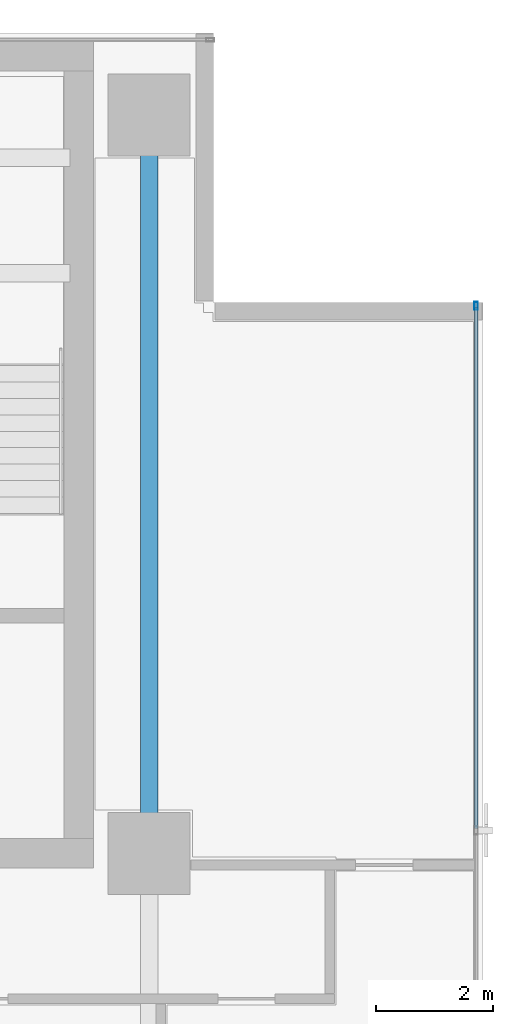
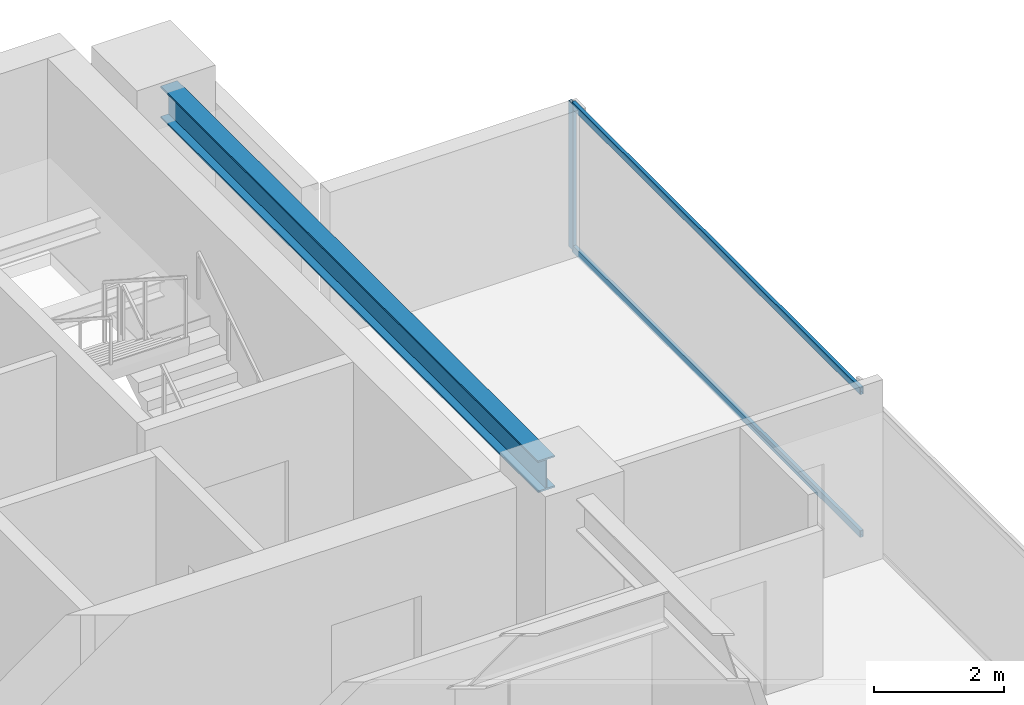
# One storey, part 14 of 26: 3 members, 1 beam, 1 element without a shape of its own.
"""IFC4 building model written with IfcOpenShell, lengths in metres."""

import ifcopenshell
import ifcopenshell.guid

model = None  # the IFC model being written
_history = None  # IfcOwnerHistory: only IFC2X3 demands one
_inside = {}  # id of a spatial element -> (the spatial element, [elements in it])
_under = {}  # id of a project, library or spatial element -> (it, [spatial elements below it])
_declared = {}  # id of a project -> (the project, [libraries it declares])
_typed = {}  # id of a type object -> (the type object, [elements of that type])
_made_of = {}  # id of a material, layer set ... -> (it, [elements and type objects made of it])


def new_model(schema):
    """Start an empty IFC model of exactly this schema.

    Asked for "IFC4X3", IfcOpenShell would pick the latest addendum, in which some entities
    have other attributes; the version numbers below select the first issue.
    IFC2X3 requires an IfcOwnerHistory on every rooted entity: one is made here for all.
    """
    global model, _history
    if schema == "IFC4X3":
        model = ifcopenshell.file(schema_version=(4, 3, 0, 0))
    else:
        model = ifcopenshell.file(schema=schema)
    _inside.clear()
    _under.clear()
    _declared.clear()
    _typed.clear()
    _made_of.clear()
    _history = None
    if model.schema == "IFC2X3":
        org = make("IfcOrganization", Name="unknown")
        user = make(
            "IfcPersonAndOrganization",
            ThePerson=make("IfcPerson", FamilyName="unknown"),
            TheOrganization=org,
        )
        app = make(
            "IfcApplication",
            ApplicationDeveloper=org,
            Version="unknown",
            ApplicationFullName="unknown",
            ApplicationIdentifier="unknown",
        )
        _history = make(
            "IfcOwnerHistory",
            OwningUser=user,
            OwningApplication=app,
            ChangeAction="ADDED",
            CreationDate=0,
        )
    return model


def make(cls, **values):
    """One entity of the class cls with the attributes given. An attribute that is None is left unset."""
    return model.create_entity(
        cls, **{name: value for name, value in values.items() if value is not None}
    )


def rooted(cls, **values):
    """An entity with a GlobalId (a new one), such as an element, a storey or a relation."""
    return make(cls, GlobalId=ifcopenshell.guid.new(), OwnerHistory=_history, **values)


def si_unit(unit_type, name, prefix=None):
    """IfcSIUnit, for example si_unit("LENGTHUNIT", "METRE", prefix="MILLI")."""
    return make("IfcSIUnit", UnitType=unit_type, Prefix=prefix, Name=name)


def assignment(units):
    """IfcUnitAssignment: the units of a project."""
    return None if units is None else make("IfcUnitAssignment", Units=units)


def point(xyz):
    """IfcCartesianPoint."""
    return None if xyz is None else make("IfcCartesianPoint", Coordinates=xyz)


def direction(xyz):
    """IfcDirection."""
    return None if xyz is None else make("IfcDirection", DirectionRatios=xyz)


def frame(location, z_axis=None, x_axis=None):
    """IfcAxis2Placement3D, a coordinate frame: its origin and axes. An axis left out is left unset."""
    return make(
        "IfcAxis2Placement3D",
        Location=point(location),
        Axis=direction(z_axis),
        RefDirection=direction(x_axis),
    )


def frame_2d(location, x_axis=None):
    """IfcAxis2Placement2D, a coordinate frame in the plane: its origin and x axis."""
    return make(
        "IfcAxis2Placement2D", Location=point(location), RefDirection=direction(x_axis)
    )


def origin():
    """The frame at (0, 0, 0) with its axes left unset."""
    return frame((0.0, 0.0, 0.0))


def origin_2d():
    """The frame at (0, 0) in the plane with its x axis left unset."""
    return frame_2d((0.0, 0.0))


def place(relative_to, where):
    """IfcLocalPlacement: puts the frame where relative to a parent placement (None: the world)."""
    return make(
        "IfcLocalPlacement", PlacementRelTo=relative_to, RelativePlacement=where
    )


def context(
    kind, dimensions, precision=None, world=None, true_north=None, identifier=None
):
    """IfcGeometricRepresentationContext, for example the 3D "Model" context."""
    return make(
        "IfcGeometricRepresentationContext",
        ContextIdentifier=identifier,
        ContextType=kind,
        CoordinateSpaceDimension=dimensions,
        Precision=precision,
        WorldCoordinateSystem=world,
        TrueNorth=true_north,
    )


def subcontext(parent, identifier, kind, view, scale=None):
    """IfcGeometricRepresentationSubContext, for example "Body" below "Model"."""
    return make(
        "IfcGeometricRepresentationSubContext",
        ContextIdentifier=identifier,
        ContextType=kind,
        ParentContext=parent,
        TargetScale=scale,
        TargetView=view,
    )


def project(units=None, contexts=None):
    """IfcProject with its units and contexts."""
    return rooted(
        "IfcProject",
        Name="project",
        RepresentationContexts=contexts,
        UnitsInContext=assignment(units),
    )


def spatial(cls, under=None, at=None, **own):
    """A site, building, storey or space (cls), placed at a placement, below another one or the project."""
    s = rooted(cls, ObjectPlacement=at, **own)
    if under is not None:
        _under.setdefault(under.id(), (under, []))[1].append(s)
    return s


def profile(cls, at=None, kind="AREA", **sizes):
    """A parametric profile (cls). Its sizes go by their IFC names, for example OverallWidth=200.0."""
    return make(cls, ProfileType=kind, Position=at, **sizes)


def hollow_rectangle(**sizes):
    """IfcRectangleHollowProfileDef."""
    return profile("IfcRectangleHollowProfileDef", **sizes)


def i_section(**sizes):
    """IfcIShapeProfileDef."""
    return profile("IfcIShapeProfileDef", **sizes)


def extrude(swept, where, along, depth):
    """IfcExtrudedAreaSolid: the profile swept, set in the frame where, extruded along a direction by depth."""
    return make(
        "IfcExtrudedAreaSolid",
        SweptArea=swept,
        Position=where,
        ExtrudedDirection=direction(along),
        Depth=depth,
    )


def shape(context_of_items, identifier, shape_type, items):
    """IfcShapeRepresentation: the items that make up one representation, for example the "Body"."""
    return make(
        "IfcShapeRepresentation",
        ContextOfItems=context_of_items,
        RepresentationIdentifier=identifier,
        RepresentationType=shape_type,
        Items=items,
    )


def source(mapping_origin, context_of_items, identifier, shape_type, items):
    """IfcRepresentationMap: a shape defined once, which mapped items show again and again."""
    return make(
        "IfcRepresentationMap",
        MappingOrigin=mapping_origin,
        MappedRepresentation=shape(context_of_items, identifier, shape_type, items),
    )


def transform(
    local_origin,
    x_axis=None,
    y_axis=None,
    z_axis=None,
    scale=None,
    scale2=None,
    scale3=None,
    uniform=True,
):
    """IfcCartesianTransformationOperator3D, or its non-uniform kind. x_axis, y_axis, z_axis: its Axis1, 2, 3."""
    if uniform:
        return make(
            "IfcCartesianTransformationOperator3D",
            Axis1=direction(x_axis),
            Axis2=direction(y_axis),
            LocalOrigin=point(local_origin),
            Scale=scale,
            Axis3=direction(z_axis),
        )
    return make(
        "IfcCartesianTransformationOperator3DnonUniform",
        Axis1=direction(x_axis),
        Axis2=direction(y_axis),
        LocalOrigin=point(local_origin),
        Scale=scale,
        Axis3=direction(z_axis),
        Scale2=scale2,
        Scale3=scale3,
    )


def mapped(mapping_source, mapping_target):
    """IfcMappedItem: shows the shape of a source again, moved by a transform."""
    return make(
        "IfcMappedItem", MappingSource=mapping_source, MappingTarget=mapping_target
    )


def material(Name=None, Category=None):
    """IfcMaterial."""
    return make("IfcMaterial", Name=Name, Category=Category)


def layer(
    of_material, thickness, ventilated=None, Name=None, Category=None, Priority=None
):
    """IfcMaterialLayer: one layer of a wall or slab, of a material (None: an air gap)."""
    return make(
        "IfcMaterialLayer",
        Material=of_material,
        LayerThickness=thickness,
        IsVentilated=ventilated,
        Name=Name,
        Category=Category,
        Priority=Priority,
    )


def layer_set(layers, Name=None):
    """IfcMaterialLayerSet."""
    return make("IfcMaterialLayerSet", MaterialLayers=layers, LayerSetName=Name)


def material_profile(
    of_material, cross_section, Name=None, Category=None, Priority=None
):
    """IfcMaterialProfile: a cross section and its material."""
    return make(
        "IfcMaterialProfile",
        Name=Name,
        Material=of_material,
        Profile=cross_section,
        Priority=Priority,
        Category=Category,
    )


def profile_set(profiles, Name=None, composite=None):
    """IfcMaterialProfileSet."""
    return make(
        "IfcMaterialProfileSet",
        Name=Name,
        MaterialProfiles=profiles,
        CompositeProfile=composite,
    )


def made_of(thing, what):
    """Note that an element or type object is made of a material, layer set ...; save() writes the relation."""
    if what is not None:
        _made_of.setdefault(what.id(), (what, []))[1].append(thing)
    return thing


def type_object(cls, material=None, **own):
    """A type object (cls), such as IfcWallType, which elements share."""
    return made_of(rooted(cls, **own), material)


def element(
    cls,
    number,
    at=None,
    inside=None,
    cuts=None,
    type_object=None,
    material=None,
    context=None,
    identifier="Body",
    shape_type=None,
    held_by="IfcProductDefinitionShape",
    body=None,
    shapes=None,
    **own,
):
    """One element of the class cls, such as IfcWall. Its Tag is "e" and its number.

    at: its placement. inside: the storey or other place that contains it. cuts: it is an
    opening in that element (IfcRelVoidsElement). A single representation is given by context,
    identifier, shape_type and body (its items); several are given by shapes. held_by: the class
    of the entity that holds the representations. save() writes the other relations.
    """
    e = rooted(cls, Tag="e%d" % number, ObjectPlacement=at, **own)
    if body is not None:
        shapes = [shape(context, identifier, shape_type, body)]
    if shapes is not None:
        e.Representation = make(held_by, Representations=shapes)
    if inside is not None:
        _inside.setdefault(inside.id(), (inside, []))[1].append(e)
    if cuts is not None:
        rooted(
            "IfcRelVoidsElement", RelatingBuildingElement=cuts, RelatedOpeningElement=e
        )
    if type_object is not None:
        _typed.setdefault(type_object.id(), (type_object, []))[1].append(e)
    return made_of(e, material)


def aggregate(whole, parts):
    """IfcRelAggregates: a whole, such as a stair, and the parts it consists of."""
    return rooted("IfcRelAggregates", RelatingObject=whole, RelatedObjects=parts)


def save(model, path):
    """Write the relations noted so far, then the file.

    IfcRelAggregates (storeys below a building ...), IfcRelContainedInSpatialStructure (elements
    in a storey), IfcRelDefinesByType, IfcRelAssociatesMaterial and IfcRelDeclares: one each for
    every whole, place, type object, material and project.
    """
    for whole, parts in _under.values():
        aggregate(whole, parts)
    for where, things in _inside.values():
        rooted(
            "IfcRelContainedInSpatialStructure",
            RelatedElements=things,
            RelatingStructure=where,
        )
    for kind, things in _typed.values():
        rooted("IfcRelDefinesByType", RelatedObjects=things, RelatingType=kind)
    for what, things in _made_of.values():
        rooted("IfcRelAssociatesMaterial", RelatedObjects=things, RelatingMaterial=what)
    for by, libraries in _declared.values():
        rooted("IfcRelDeclares", RelatingContext=by, RelatedDefinitions=libraries)
    model.write(path)


model = new_model("IFC4")

# Units and contexts
model_context = context("Model", 3, precision=1e-05, world=origin(), true_north=direction((0.0, 1.0)))
body_context = subcontext(model_context, "Body", "Model", "MODEL_VIEW")
ifc_project = project(units=[si_unit("LENGTHUNIT", "METRE"), si_unit("AREAUNIT", "SQUARE_METRE"), si_unit("VOLUMEUNIT", "CUBIC_METRE"), si_unit("PLANEANGLEUNIT", "RADIAN"), si_unit("MASSUNIT", "GRAM", prefix="KILO")], contexts=[model_context])

# Site, building, storey
site_placement = place(None, origin())
site = spatial("IfcSite", under=ifc_project, at=site_placement, CompositionType="ELEMENT")
building_placement = place(site_placement, origin())
building = spatial("IfcBuilding", under=site, at=building_placement, Name="Sumidabori Civic Tower", CompositionType="ELEMENT")
storey_placement = place(building_placement, frame((0.0, 0.0, 254.0)))
storey = spatial("IfcBuildingStorey", under=building, at=storey_placement, Name="L66", CompositionType="ELEMENT", Elevation=254.0)

# Beam
ifc_material_1 = material(Name="Steel SN490", Category="steel")
ifc_material_profile_1 = material_profile(ifc_material_1, i_section(OverallWidth=0.300048828125, OverallDepth=0.60009765625, WebThickness=0.015380859375, FlangeThickness=0.030029296875, at=origin_2d()), Name="HE 600 B")
ifc_profile_set_1 = profile_set([ifc_material_profile_1], Name="Steel SN490")
beam_type = type_object("IfcBeamType", Name="BM-GIRD-600", PredefinedType="BEAM", material=ifc_profile_set_1)
shared_shape_1 = source(origin(), body_context, "Body", "SweptSolid", [
    extrude(i_section(OverallWidth=0.300048828125, OverallDepth=0.60009765625, WebThickness=0.015380859375, FlangeThickness=0.030029296875, at=origin_2d()), origin(), (0.0, 0.0, 1.0), 11.64013671875),
])
beam_placement = place(storey_placement, frame((16.800048828125, 10.679931640625, 3.070068359375), z_axis=(0.0, 1.0, 0.0), x_axis=(-1.0, 0.0, 0.0)))
element("IfcBeam", 1, at=beam_placement, inside=storey, type_object=beam_type, Name="Primary Girder L66 GY-17", PredefinedType="BEAM", context=body_context, shape_type="MappedRepresentation", body=[
    mapped(shared_shape_1, transform((0.0, 0.0, 0.0), x_axis=(1.0, 0.0, 0.0), y_axis=(0.0, 1.0, 0.0), z_axis=(0.0, 0.0, 1.0), scale=1.0)),
])

# Curtain wall, members
ifc_material_2 = material(Name="Anodised Bronze Aluminium AW-6063-T6", Category="aluminium")
ifc_layer = layer(ifc_material_2, 0.179931640625, Name="Anodised Bronze Aluminium AW-6063-T6")
ifc_layer_set = layer_set([ifc_layer], Name="Anodised Bronze Aluminium AW-6063-T6")
curtain_wall_type = type_object("IfcCurtainWallType", Name="CW-SYS-5", PredefinedType="NOTDEFINED", material=ifc_layer_set)
curtain_wall_placement = place(storey_placement, origin())
curtain_wall = element("IfcCurtainWall", 2, at=curtain_wall_placement, inside=storey, type_object=curtain_wall_type, Name="Curtain Wall CW:L66:R04", PredefinedType="NOTDEFINED")
ifc_material_profile_2 = material_profile(ifc_material_2, hollow_rectangle(XDim=0.06005859375, YDim=0.139892578125, WallThickness=0.0048828125, at=origin_2d()), Name="ALU MULLION 140x60")
ifc_profile_set_2 = profile_set([ifc_material_profile_2], Name="Anodised Bronze Aluminium AW-6063-T6")
member_type_1 = type_object("IfcMemberType", Name="CW-MUL-140", PredefinedType="MULLION", material=ifc_profile_set_2)
shared_shape_2 = source(origin(), body_context, "Body", "SweptSolid", [
    extrude(hollow_rectangle(XDim=0.06005859375, YDim=0.139892578125, WallThickness=0.0048828125, at=origin_2d()), origin(), (0.0, 0.0, 1.0), 2.75),
])
member_1_placement = place(storey_placement, frame((22.3798828125, 19.5400390625, 0.0), z_axis=(0.0, 0.0, 1.0), x_axis=(-1.0, 0.0, 0.0)))
member_1 = element("IfcMember", 3, at=member_1_placement, type_object=member_type_1, Name="CW-5 mullion 4", PredefinedType="MULLION", context=body_context, shape_type="MappedRepresentation", body=[
    mapped(shared_shape_2, transform((0.0, 0.0, 0.0), x_axis=(1.0, 0.0, 0.0), y_axis=(0.0, 1.0, 0.0), z_axis=(0.0, 0.0, 1.0), scale=1.0)),
])
ifc_material_profile_3 = material_profile(ifc_material_2, hollow_rectangle(XDim=0.06005859375, YDim=0.1298828125, WallThickness=0.0048828125, at=origin_2d()), Name="ALU TRANSOM 130x60")
ifc_profile_set_3 = profile_set([ifc_material_profile_3], Name="Anodised Bronze Aluminium AW-6063-T6")
member_type_2 = type_object("IfcMemberType", Name="CW-TRN-130", PredefinedType="USERDEFINED", material=ifc_profile_set_3)
shared_shape_3 = source(origin(), body_context, "Body", "SweptSolid", [
    extrude(hollow_rectangle(XDim=0.06005859375, YDim=0.1298828125, WallThickness=0.0048828125, at=origin_2d()), origin(), (0.0, 0.0, 1.0), 8.889892578125),
])
member_2_placement = place(storey_placement, frame((22.3798828125, 10.6201171875, 0.030029296875), z_axis=(0.0, 1.0, 0.0), x_axis=(-1.0, 0.0, 0.0)))
member_2 = element("IfcMember", 4, at=member_2_placement, type_object=member_type_2, Name="CW-5 transom 3.1", ObjectType="TRANSOM", PredefinedType="USERDEFINED", context=body_context, shape_type="MappedRepresentation", body=[
    mapped(shared_shape_3, transform((0.0, 0.0, 0.0), x_axis=(1.0, 0.0, 0.0), y_axis=(0.0, 1.0, 0.0), z_axis=(0.0, 0.0, 1.0), scale=1.0)),
])
member_3_placement = place(storey_placement, frame((22.3798828125, 10.6201171875, 2.719970703125), z_axis=(0.0, 1.0, 0.0), x_axis=(-1.0, 0.0, 0.0)))
member_3 = element("IfcMember", 5, at=member_3_placement, type_object=member_type_2, Name="CW-5 transom 3.2", ObjectType="TRANSOM", PredefinedType="USERDEFINED", context=body_context, shape_type="MappedRepresentation", body=[
    mapped(shared_shape_3, transform((0.0, 0.0, 0.0), x_axis=(1.0, 0.0, 0.0), y_axis=(0.0, 1.0, 0.0), z_axis=(0.0, 0.0, 1.0), scale=1.0)),
])
aggregate(curtain_wall, [member_1, member_2, member_3])

save(model, "model.ifc")
